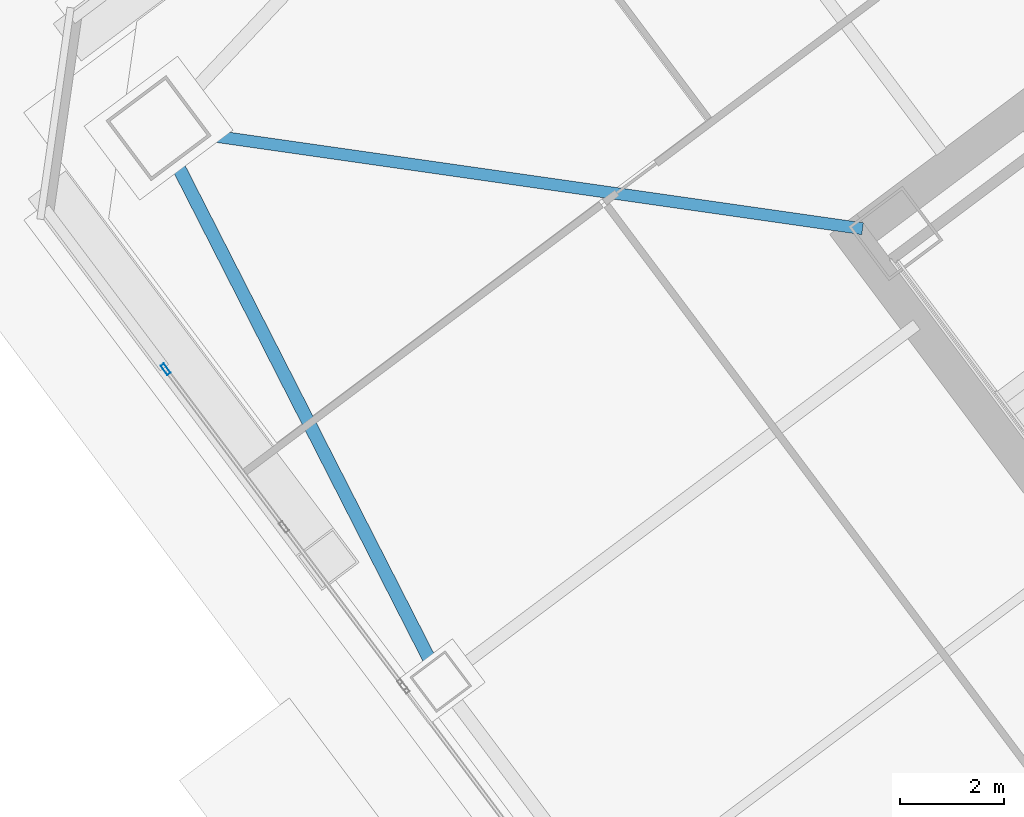
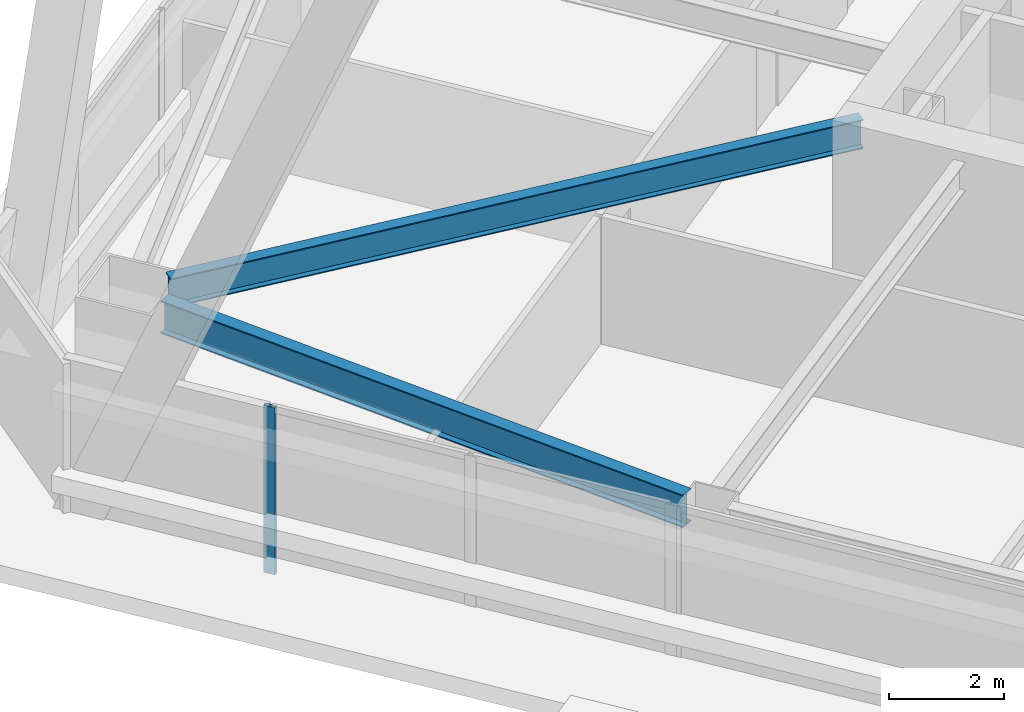
# One storey, part 37 of 67: 2 beams, 1 member, 1 element without a shape of its own.
"""IFC4 building model written with IfcOpenShell, lengths in metres."""

from ifc_helpers import new_model, si_unit, direction, frame, origin, origin_2d, place, context, subcontext, project, spatial, hollow_rectangle, i_section, extrude, material, material_profile, profile_set, type_object, element, aggregate, save


model = new_model("IFC4")

# Units and contexts
model_context = context("Model", 3, precision=1e-05, world=origin(), true_north=direction((0.0, 1.0)))
body_context = subcontext(model_context, "Body", "Model", "MODEL_VIEW")
ifc_project = project(units=[si_unit("LENGTHUNIT", "METRE"), si_unit("AREAUNIT", "SQUARE_METRE"), si_unit("VOLUMEUNIT", "CUBIC_METRE"), si_unit("PLANEANGLEUNIT", "RADIAN"), si_unit("MASSUNIT", "GRAM", prefix="KILO")], contexts=[model_context])

# Site, building, storey
site_placement = place(None, origin())
site = spatial("IfcSite", under=ifc_project, at=site_placement, CompositionType="ELEMENT")
building_placement = place(site_placement, origin())
building = spatial("IfcBuilding", under=site, at=building_placement, Name="Tashvorn Skyway Center", CompositionType="ELEMENT")
storey_placement = place(building_placement, frame((0.0, 0.0, 67.199951171875)))
storey = spatial("IfcBuildingStorey", under=building, at=storey_placement, Name="L17", CompositionType="ELEMENT", Elevation=67.199951171875)

# Beams
ifc_material_1 = material(Name="Steel ASTM A992 Grade 50", Category="steel")
ifc_material_profile_1 = material_profile(ifc_material_1, i_section(OverallWidth=0.22998046875, OverallDepth=0.616943359375, WebThickness=0.01318359375, FlangeThickness=0.022216796875, at=origin_2d()), Name="W24X94")
ifc_profile_set_1 = profile_set([ifc_material_profile_1], Name="Steel ASTM A992 Grade 50")
beam_type_1 = type_object("IfcBeamType", Name="BM-BEAM-W24X94", PredefinedType="BEAM", material=ifc_profile_set_1)
beam_1_placement = place(storey_placement, frame((90.6328125, 35.338134765625, 3.04150390625), z_axis=(0.989949869571, -0.141418724841, 0.0), x_axis=(0.141418724841, 0.989949869571, 0.0)))
element("IfcBeam", 1, at=beam_1_placement, inside=storey, type_object=beam_type_1, Name="Tower 2 L17 Primary Floor Girder MC-NW", PredefinedType="BEAM", context=body_context, shape_type="SweptSolid", body=[
    extrude(i_section(OverallWidth=0.22998046875, OverallDepth=0.616943359375, WebThickness=0.01318359375, FlangeThickness=0.022216796875, at=origin_2d()), origin(), (0.0, 0.0, 1.0), 12.9892578125),
])
ifc_material_profile_2 = material_profile(ifc_material_1, i_section(OverallWidth=0.256103515625, OverallDepth=0.693115234375, WebThickness=0.014404296875, FlangeThickness=0.023681640625, at=origin_2d()), Name="W27X114")
ifc_profile_set_2 = profile_set([ifc_material_profile_2], Name="Steel ASTM A992 Grade 50")
beam_type_2 = type_object("IfcBeamType", Name="BM-SPANDREL-W27X114", PredefinedType="SPANDREL", material=ifc_profile_set_2)
beam_2_placement = place(storey_placement, frame((90.2470703125, 34.798583984375, 3.003662109375), z_axis=(0.454210938961, -0.890894170442, 0.0), x_axis=(0.890894170442, 0.454210938961, 0.0)))
element("IfcBeam", 2, at=beam_2_placement, inside=storey, type_object=beam_type_2, Name="Tower 2 L17 Spandrel Beam 10", PredefinedType="SPANDREL", context=body_context, shape_type="SweptSolid", body=[
    extrude(i_section(OverallWidth=0.256103515625, OverallDepth=0.693115234375, WebThickness=0.014404296875, FlangeThickness=0.023681640625, at=origin_2d()), origin(), (0.0, 0.0, 1.0), 10.836669921875),
])

# Curtain wall, member
ifc_material_2 = material(Name="Thermally broken bronze-anodized aluminium 6063-T6", Category="aluminium")
curtain_wall_type = type_object("IfcCurtainWallType", Name="CW-CW-Z2", PredefinedType="NOTDEFINED", material=ifc_material_2)
curtain_wall_placement = place(storey_placement, origin())
curtain_wall = element("IfcCurtainWall", 3, at=curtain_wall_placement, inside=storey, type_object=curtain_wall_type, Name="Tower 2 L17 West Unitised Curtain Wall Glazing Group 3", PredefinedType="NOTDEFINED")
ifc_material_profile_3 = material_profile(ifc_material_2, hollow_rectangle(XDim=0.080078125, YDim=0.219970703125, WallThickness=0.0048828125, at=origin_2d()), Name="ALU-MULL-80x220")
ifc_profile_set_3 = profile_set([ifc_material_profile_3], Name="Thermally broken bronze-anodized aluminium 6063-T6")
member_type = type_object("IfcMemberType", Name="CWM-CW-Z2", PredefinedType="MULLION", material=ifc_profile_set_3)
member_placement = place(storey_placement, frame((90.055908203125, 30.7919921875, 0.0), z_axis=(0.0, 0.0, 1.0), x_axis=(-0.799999999998, -0.600000000002, 0.0)))
member = element("IfcMember", 4, at=member_placement, type_object=member_type, Name="CW-Z2 mullion 3", PredefinedType="MULLION", context=body_context, shape_type="SweptSolid", body=[
    extrude(hollow_rectangle(XDim=0.080078125, YDim=0.219970703125, WallThickness=0.0048828125, at=origin_2d()), origin(), (0.0, 0.0, 1.0), 3.550048828125),
])
aggregate(curtain_wall, [member])

save(model, "model.ifc")
